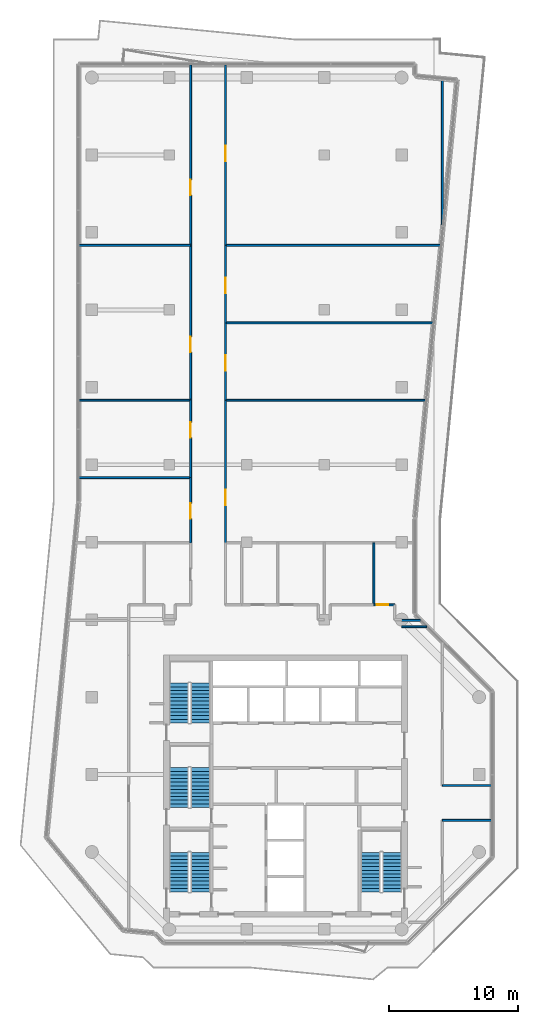
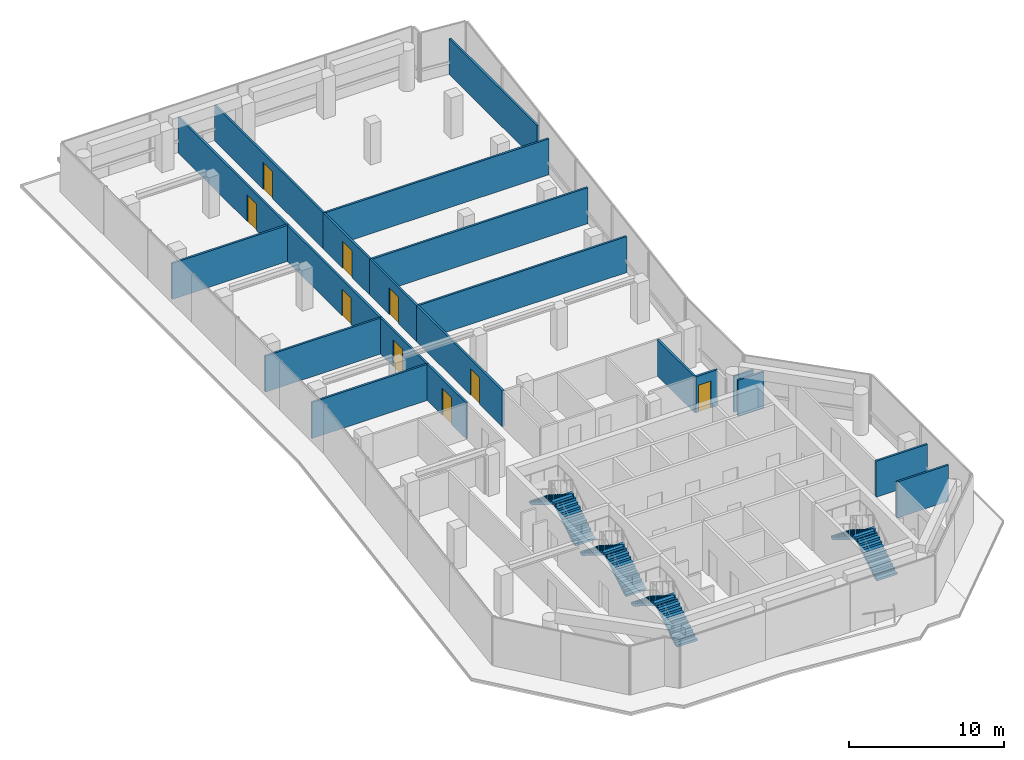
# One storey, part 11 of 13: 21 walls, 9 doors, 8 stair flights, 9 openings, 4 elements without a shape of their own.
"""IFC4 building model written with IfcOpenShell, lengths in metres."""

from ifc_helpers import new_model, si_unit, direction, frame, frame_2d, origin, place, context, subcontext, project, spatial, polyline, rectangle, outline, extrude, material, layer, layer_set, type_object, element, fill, aggregate, save


model = new_model("IFC4")

# Units and contexts
model_context = context("Model", 3, precision=1e-05, world=origin(), true_north=direction((0.0, 1.0)))
body_context = subcontext(model_context, "Body", "Model", "MODEL_VIEW")
ifc_project = project(units=[si_unit("LENGTHUNIT", "METRE"), si_unit("AREAUNIT", "SQUARE_METRE"), si_unit("VOLUMEUNIT", "CUBIC_METRE"), si_unit("PLANEANGLEUNIT", "RADIAN"), si_unit("MASSUNIT", "GRAM", prefix="KILO")], contexts=[model_context])

# Site, building, storey
site_placement = place(None, origin())
site = spatial("IfcSite", under=ifc_project, at=site_placement, CompositionType="ELEMENT")
building_placement = place(site_placement, origin())
building = spatial("IfcBuilding", under=site, at=building_placement, Name="Welwitschia Terrace Campus", CompositionType="ELEMENT")
storey_placement = place(building_placement, frame((0.0, 0.0, 251.60009765625)))
storey = spatial("IfcBuildingStorey", under=building, at=storey_placement, Name="L56", CompositionType="ELEMENT", Elevation=251.60009765625)

# Walls
ifc_material_1 = material(Name="Gypsum board on steel studs", Category="steel")
ifc_layer = layer(ifc_material_1, 0.14990234375)
ifc_layer_set = layer_set([ifc_layer], Name="Gypsum board on steel studs")
wall_type = type_object("IfcWallType", Name="Corridor partition 150 EI 30", PredefinedType="PARTITIONING", material=ifc_layer_set)
for number, where, z_axis, x_axis, name in (
    (1, (-0.97998046875, 39.0, 0.0), (0.0, 0.0, 1.0), (1.0, 0.0, 0.0), "Partition"),
    (2, (-0.97998046875, 45.0, 0.0), (0.0, 0.0, 1.0), (1.0, 0.0, 0.0), "Partition"),
    (3, (-0.97998046875, 57.0, 0.0), (0.0, 0.0, 1.0), (1.0, 0.0, 0.0), "Partition"),
):
    element("IfcWall", number, at=place(storey_placement, frame(where, z_axis=z_axis, x_axis=x_axis)), inside=storey, type_object=wall_type, Name=name, PredefinedType="PARTITIONING", context=body_context, shape_type="SweptSolid", body=[
        extrude(rectangle(XDim=8.6298828125, YDim=0.14990234375, at=frame_2d((4.31494140625, 0.0))), origin(), (0.0, 0.0, 1.0), 2.829833984375),
    ])

# Wall, opening, door
wall_1_placement = place(storey_placement, frame((7.64990234375, 33.949951171875, 0.0), z_axis=(0.0, 0.0, 1.0), x_axis=(0.0, 1.0, 0.0)))
wall_1 = element("IfcWall", 4, at=wall_1_placement, inside=storey, type_object=wall_type, Name="Partition", PredefinedType="PARTITIONING", context=body_context, shape_type="SweptSolid", body=[
    extrude(rectangle(XDim=5.050048828125, YDim=0.14990234375, at=frame_2d((2.52490234375, 0.0))), origin(), (0.0, 0.0, 1.0), 2.829833984375),
])
opening_1_placement = place(wall_1_placement, frame((1.85009765625, 0.0, 0.0)))
opening_1 = element("IfcOpeningElement", 5, at=opening_1_placement, cuts=wall_1, Name="Opening DX12", PredefinedType="OPENING", context=body_context, shape_type="SweptSolid", body=[
    extrude(rectangle(XDim=1.199951171875, YDim=2.10009765625, at=frame_2d((0.60009765625, 1.050048828125))), frame((0.0, 0.0849609375, 0.0), z_axis=(0.0, -1.0, 0.0), x_axis=(1.0, 0.0, 0.0)), (0.0, 0.0, 1.0), 0.169921875),
])
ifc_material_2 = material(Name="Timber veneered door", Category="wood")
door_type_1 = type_object("IfcDoorType", Name="Interior door DX12", OperationType="NOTDEFINED", PredefinedType="DOOR", material=ifc_material_2)
door_1_placement = place(opening_1_placement, origin())
door_1 = element("IfcDoor", 6, at=door_1_placement, inside=storey, type_object=door_type_1, Name="Door L56 1019", OperationType="SINGLE_SWING_RIGHT", OverallHeight=2.10009765625, OverallWidth=1.199951171875, PredefinedType="DOOR", context=body_context, shape_type="SweptSolid", body=[
    extrude(rectangle(XDim=1.199951171875, YDim=2.10009765625, at=frame_2d((0.60009765625, 1.050048828125))), frame((0.0, 0.02490234375, 0.0), z_axis=(0.0, -1.0, 0.0), x_axis=(1.0, 0.0, 0.0)), (0.0, 0.0, 1.0), 0.050048828125),
])
fill(opening_1, door_1)

wall_2_placement = place(storey_placement, frame((7.64990234375, 39.0, 0.0), z_axis=(0.0, 0.0, 1.0), x_axis=(0.0, 1.0, 0.0)))
wall_2 = element("IfcWall", 7, at=wall_2_placement, inside=storey, type_object=wall_type, Name="Partition", PredefinedType="PARTITIONING", context=body_context, shape_type="SweptSolid", body=[
    extrude(rectangle(XDim=6.0, YDim=0.14990234375, at=frame_2d((3.0, 0.0))), origin(), (0.0, 0.0, 1.0), 2.829833984375),
])
opening_2_placement = place(wall_2_placement, frame((3.10009765625, 0.0, 0.0)))
opening_2 = element("IfcOpeningElement", 8, at=opening_2_placement, cuts=wall_2, Name="Opening DX12", PredefinedType="OPENING", context=body_context, shape_type="SweptSolid", body=[
    extrude(rectangle(XDim=1.199951171875, YDim=2.10009765625, at=frame_2d((0.60009765625, 1.050048828125))), frame((0.0, 0.0849609375, 0.0), z_axis=(0.0, -1.0, 0.0), x_axis=(1.0, 0.0, 0.0)), (0.0, 0.0, 1.0), 0.169921875),
])
door_2_placement = place(opening_2_placement, origin())
door_2 = element("IfcDoor", 9, at=door_2_placement, inside=storey, type_object=door_type_1, Name="Door L56 1020", OperationType="SINGLE_SWING_LEFT", OverallHeight=2.10009765625, OverallWidth=1.199951171875, PredefinedType="DOOR", context=body_context, shape_type="SweptSolid", body=[
    extrude(rectangle(XDim=1.199951171875, YDim=2.10009765625, at=frame_2d((0.60009765625, 1.050048828125))), frame((0.0, 0.02490234375, 0.0), z_axis=(0.0, -1.0, 0.0), x_axis=(1.0, 0.0, 0.0)), (0.0, 0.0, 1.0), 0.050048828125),
])
fill(opening_2, door_2)

wall_3_placement = place(storey_placement, frame((7.64990234375, 45.0, 0.0), z_axis=(0.0, 0.0, 1.0), x_axis=(0.0, 1.0, 0.0)))
wall_3 = element("IfcWall", 10, at=wall_3_placement, inside=storey, type_object=wall_type, Name="Partition", PredefinedType="PARTITIONING", context=body_context, shape_type="SweptSolid", body=[
    extrude(rectangle(XDim=12.0, YDim=0.14990234375, at=frame_2d((6.0, 0.0))), origin(), (0.0, 0.0, 1.0), 2.829833984375),
])
opening_3_placement = place(wall_3_placement, frame((3.699951171875, 0.0, 0.0)))
opening_3 = element("IfcOpeningElement", 11, at=opening_3_placement, cuts=wall_3, Name="Opening DX12", PredefinedType="OPENING", context=body_context, shape_type="SweptSolid", body=[
    extrude(rectangle(XDim=1.199951171875, YDim=2.10009765625, at=frame_2d((0.60009765625, 1.050048828125))), frame((0.0, 0.0849609375, 0.0), z_axis=(0.0, -1.0, 0.0), x_axis=(1.0, 0.0, 0.0)), (0.0, 0.0, 1.0), 0.169921875),
])
door_3_placement = place(opening_3_placement, origin())
door_3 = element("IfcDoor", 12, at=door_3_placement, inside=storey, type_object=door_type_1, Name="Door L56 1021", OperationType="SINGLE_SWING_RIGHT", OverallHeight=2.10009765625, OverallWidth=1.199951171875, PredefinedType="DOOR", context=body_context, shape_type="SweptSolid", body=[
    extrude(rectangle(XDim=1.199951171875, YDim=2.10009765625, at=frame_2d((0.60009765625, 1.050048828125))), frame((0.0, 0.02490234375, 0.0), z_axis=(0.0, -1.0, 0.0), x_axis=(1.0, 0.0, 0.0)), (0.0, 0.0, 1.0), 0.050048828125),
])
fill(opening_3, door_3)

wall_4_placement = place(storey_placement, frame((7.64990234375, 57.0, 0.0), z_axis=(0.0, 0.0, 1.0), x_axis=(0.0, 1.0, 0.0)))
wall_4 = element("IfcWall", 13, at=wall_4_placement, inside=storey, type_object=wall_type, Name="Partition", PredefinedType="PARTITIONING", context=body_context, shape_type="SweptSolid", body=[
    extrude(rectangle(XDim=13.97998046875, YDim=0.14990234375, at=frame_2d((6.989990234375, 0.0))), origin(), (0.0, 0.0, 1.0), 2.829833984375),
])
opening_4_placement = place(wall_4_placement, frame((3.8798828125, 0.0, 0.0)))
opening_4 = element("IfcOpeningElement", 14, at=opening_4_placement, cuts=wall_4, Name="Opening DX12", PredefinedType="OPENING", context=body_context, shape_type="SweptSolid", body=[
    extrude(rectangle(XDim=1.199951171875, YDim=2.10009765625, at=frame_2d((0.60009765625, 1.050048828125))), frame((0.0, 0.0849609375, 0.0), z_axis=(0.0, -1.0, 0.0), x_axis=(1.0, 0.0, 0.0)), (0.0, 0.0, 1.0), 0.169921875),
])
door_4_placement = place(opening_4_placement, origin())
door_4 = element("IfcDoor", 15, at=door_4_placement, inside=storey, type_object=door_type_1, Name="Door L56 1022", OperationType="SINGLE_SWING_LEFT", OverallHeight=2.10009765625, OverallWidth=1.199951171875, PredefinedType="DOOR", context=body_context, shape_type="SweptSolid", body=[
    extrude(rectangle(XDim=1.199951171875, YDim=2.10009765625, at=frame_2d((0.60009765625, 1.050048828125))), frame((0.0, 0.02490234375, 0.0), z_axis=(0.0, -1.0, 0.0), x_axis=(1.0, 0.0, 0.0)), (0.0, 0.0, 1.0), 0.050048828125),
])
fill(opening_4, door_4)

wall_5_placement = place(storey_placement, frame((10.35009765625, 45.0, 0.0), z_axis=(0.0, 0.0, 1.0), x_axis=(0.0, -1.0, 0.0)))
wall_5 = element("IfcWall", 16, at=wall_5_placement, inside=storey, type_object=wall_type, Name="Partition", PredefinedType="PARTITIONING", context=body_context, shape_type="SweptSolid", body=[
    extrude(rectangle(XDim=11.050048828125, YDim=0.14990234375, at=frame_2d((5.52490234375, 0.0))), origin(), (0.0, 0.0, 1.0), 2.829833984375),
])
opening_5_placement = place(wall_5_placement, frame((6.949951171875, 0.0, 0.0)))
opening_5 = element("IfcOpeningElement", 17, at=opening_5_placement, cuts=wall_5, Name="Opening DX12", PredefinedType="OPENING", context=body_context, shape_type="SweptSolid", body=[
    extrude(rectangle(XDim=1.199951171875, YDim=2.10009765625, at=frame_2d((0.60009765625, 1.050048828125))), frame((0.0, 0.0849609375, 0.0), z_axis=(0.0, -1.0, 0.0), x_axis=(1.0, 0.0, 0.0)), (0.0, 0.0, 1.0), 0.169921875),
])
door_5_placement = place(opening_5_placement, origin())
door_5 = element("IfcDoor", 18, at=door_5_placement, inside=storey, type_object=door_type_1, Name="Door L56 1023", OperationType="SINGLE_SWING_RIGHT", OverallHeight=2.10009765625, OverallWidth=1.199951171875, PredefinedType="DOOR", context=body_context, shape_type="SweptSolid", body=[
    extrude(rectangle(XDim=1.199951171875, YDim=2.10009765625, at=frame_2d((0.60009765625, 1.050048828125))), frame((0.0, 0.02490234375, 0.0), z_axis=(0.0, -1.0, 0.0), x_axis=(1.0, 0.0, 0.0)), (0.0, 0.0, 1.0), 0.050048828125),
])
fill(opening_5, door_5)

# Wall
wall_6_placement = place(storey_placement, frame((10.35009765625, 45.0, 0.0), z_axis=(0.0, 0.0, 1.0), x_axis=(1.0, 0.0, 0.0)))
element("IfcWall", 19, at=wall_6_placement, inside=storey, type_object=wall_type, Name="Partition", PredefinedType="PARTITIONING", context=body_context, shape_type="SweptSolid", body=[
    extrude(rectangle(XDim=15.510009765625, YDim=0.14990234375, at=frame_2d((7.7548828125, 0.0))), origin(), (0.0, 0.0, 1.0), 2.829833984375),
])

# Wall, opening, door
wall_7_placement = place(storey_placement, frame((10.35009765625, 51.0, 0.0), z_axis=(0.0, 0.0, 1.0), x_axis=(0.0, -1.0, 0.0)))
wall_7 = element("IfcWall", 20, at=wall_7_placement, inside=storey, type_object=wall_type, Name="Partition", PredefinedType="PARTITIONING", context=body_context, shape_type="SweptSolid", body=[
    extrude(rectangle(XDim=6.0, YDim=0.14990234375, at=frame_2d((3.0, 0.0))), origin(), (0.0, 0.0, 1.0), 2.829833984375),
])
opening_6_placement = place(wall_7_placement, frame((2.5, 0.0, 0.0)))
opening_6 = element("IfcOpeningElement", 21, at=opening_6_placement, cuts=wall_7, Name="Opening DX12", PredefinedType="OPENING", context=body_context, shape_type="SweptSolid", body=[
    extrude(rectangle(XDim=1.199951171875, YDim=2.10009765625, at=frame_2d((0.60009765625, 1.050048828125))), frame((0.0, 0.0849609375, 0.0), z_axis=(0.0, -1.0, 0.0), x_axis=(1.0, 0.0, 0.0)), (0.0, 0.0, 1.0), 0.169921875),
])
door_6_placement = place(opening_6_placement, origin())
door_6 = element("IfcDoor", 22, at=door_6_placement, inside=storey, type_object=door_type_1, Name="Door L56 1024", OperationType="SINGLE_SWING_LEFT", OverallHeight=2.10009765625, OverallWidth=1.199951171875, PredefinedType="DOOR", context=body_context, shape_type="SweptSolid", body=[
    extrude(rectangle(XDim=1.199951171875, YDim=2.10009765625, at=frame_2d((0.60009765625, 1.050048828125))), frame((0.0, 0.02490234375, 0.0), z_axis=(0.0, -1.0, 0.0), x_axis=(1.0, 0.0, 0.0)), (0.0, 0.0, 1.0), 0.050048828125),
])
fill(opening_6, door_6)

# Wall
wall_8_placement = place(storey_placement, frame((10.35009765625, 51.0, 0.0), z_axis=(0.0, 0.0, 1.0), x_axis=(1.0, 0.0, 0.0)))
element("IfcWall", 23, at=wall_8_placement, inside=storey, type_object=wall_type, Name="Partition", PredefinedType="PARTITIONING", context=body_context, shape_type="SweptSolid", body=[
    extrude(rectangle(XDim=16.08984375, YDim=0.14990234375, at=frame_2d((8.044921875, 0.0))), origin(), (0.0, 0.0, 1.0), 2.829833984375),
])

# Wall, opening, door
wall_9_placement = place(storey_placement, frame((10.35009765625, 57.0, 0.0), z_axis=(0.0, 0.0, 1.0), x_axis=(0.0, -1.0, 0.0)))
wall_9 = element("IfcWall", 24, at=wall_9_placement, inside=storey, type_object=wall_type, Name="Partition", PredefinedType="PARTITIONING", context=body_context, shape_type="SweptSolid", body=[
    extrude(rectangle(XDim=6.0, YDim=0.14990234375, at=frame_2d((3.0, 0.0))), origin(), (0.0, 0.0, 1.0), 2.829833984375),
])
opening_7_placement = place(wall_9_placement, frame((2.5, 0.0, 0.0)))
opening_7 = element("IfcOpeningElement", 25, at=opening_7_placement, cuts=wall_9, Name="Opening DX12", PredefinedType="OPENING", context=body_context, shape_type="SweptSolid", body=[
    extrude(rectangle(XDim=1.199951171875, YDim=2.10009765625, at=frame_2d((0.60009765625, 1.050048828125))), frame((0.0, 0.0849609375, 0.0), z_axis=(0.0, -1.0, 0.0), x_axis=(1.0, 0.0, 0.0)), (0.0, 0.0, 1.0), 0.169921875),
])
door_7_placement = place(opening_7_placement, origin())
door_7 = element("IfcDoor", 26, at=door_7_placement, inside=storey, type_object=door_type_1, Name="Door L56 1025", OperationType="SINGLE_SWING_RIGHT", OverallHeight=2.10009765625, OverallWidth=1.199951171875, PredefinedType="DOOR", context=body_context, shape_type="SweptSolid", body=[
    extrude(rectangle(XDim=1.199951171875, YDim=2.10009765625, at=frame_2d((0.60009765625, 1.050048828125))), frame((0.0, 0.02490234375, 0.0), z_axis=(0.0, -1.0, 0.0), x_axis=(1.0, 0.0, 0.0)), (0.0, 0.0, 1.0), 0.050048828125),
])
fill(opening_7, door_7)

# Wall
wall_10_placement = place(storey_placement, frame((10.35009765625, 57.0, 0.0), z_axis=(0.0, 0.0, 1.0), x_axis=(1.0, 0.0, 0.0)))
element("IfcWall", 27, at=wall_10_placement, inside=storey, type_object=wall_type, Name="Partition", PredefinedType="PARTITIONING", context=body_context, shape_type="SweptSolid", body=[
    extrude(rectangle(XDim=16.669921875, YDim=0.14990234375, at=frame_2d((8.3349609375, 0.0))), origin(), (0.0, 0.0, 1.0), 2.829833984375),
])

# Wall, opening, door
wall_11_placement = place(storey_placement, frame((10.35009765625, 70.97998046875, 0.0), z_axis=(0.0, 0.0, 1.0), x_axis=(0.0, -1.0, 0.0)))
wall_11 = element("IfcWall", 28, at=wall_11_placement, inside=storey, type_object=wall_type, Name="Partition", PredefinedType="PARTITIONING", context=body_context, shape_type="SweptSolid", body=[
    extrude(rectangle(XDim=13.97998046875, YDim=0.14990234375, at=frame_2d((6.989990234375, 0.0))), origin(), (0.0, 0.0, 1.0), 2.829833984375),
])
opening_8_placement = place(wall_11_placement, frame((6.280029296875, 0.0, 0.0)))
opening_8 = element("IfcOpeningElement", 29, at=opening_8_placement, cuts=wall_11, Name="Opening DX12", PredefinedType="OPENING", context=body_context, shape_type="SweptSolid", body=[
    extrude(rectangle(XDim=1.199951171875, YDim=2.10009765625, at=frame_2d((0.60009765625, 1.050048828125))), frame((0.0, 0.0849609375, 0.0), z_axis=(0.0, -1.0, 0.0), x_axis=(1.0, 0.0, 0.0)), (0.0, 0.0, 1.0), 0.169921875),
])
door_8_placement = place(opening_8_placement, origin())
door_8 = element("IfcDoor", 30, at=door_8_placement, inside=storey, type_object=door_type_1, Name="Door L56 1026", OperationType="SINGLE_SWING_LEFT", OverallHeight=2.10009765625, OverallWidth=1.199951171875, PredefinedType="DOOR", context=body_context, shape_type="SweptSolid", body=[
    extrude(rectangle(XDim=1.199951171875, YDim=2.10009765625, at=frame_2d((0.60009765625, 1.050048828125))), frame((0.0, 0.02490234375, 0.0), z_axis=(0.0, -1.0, 0.0), x_axis=(1.0, 0.0, 0.0)), (0.0, 0.0, 1.0), 0.050048828125),
])
fill(opening_8, door_8)

# Wall
wall_12_placement = place(storey_placement, frame((21.840087890625, 29.14990234375, 0.0), z_axis=(0.0, 0.0, 1.0), x_axis=(0.0, 1.0, 0.0)))
element("IfcWall", 31, at=wall_12_placement, inside=storey, type_object=wall_type, Name="Partition", PredefinedType="PARTITIONING", context=body_context, shape_type="SweptSolid", body=[
    extrude(rectangle(XDim=4.800048828125, YDim=0.14990234375, at=frame_2d((2.39990234375, 0.0))), origin(), (0.0, 0.0, 1.0), 2.829833984375),
])

# Wall, opening, door
wall_13_placement = place(storey_placement, frame((21.840087890625, 29.14990234375, 0.0), z_axis=(0.0, 0.0, 1.0), x_axis=(1.0, 0.0, 0.0)))
wall_13 = element("IfcWall", 32, at=wall_13_placement, inside=storey, type_object=wall_type, Name="Partition", PredefinedType="PARTITIONING", context=body_context, shape_type="SweptSolid", body=[
    extrude(rectangle(XDim=1.60986328125, YDim=0.14990234375, at=frame_2d((0.804931640625, 0.0))), origin(), (0.0, 0.0, 1.0), 2.829833984375),
])
opening_9_placement = place(wall_13_placement, frame((0.2099609375, 0.0, 0.0)))
opening_9 = element("IfcOpeningElement", 33, at=opening_9_placement, cuts=wall_13, Name="Opening DI09", PredefinedType="OPENING", context=body_context, shape_type="SweptSolid", body=[
    extrude(rectangle(XDim=0.89990234375, YDim=2.10009765625, at=frame_2d((0.449951171875, 1.050048828125))), frame((0.0, 0.0849609375, 0.0), z_axis=(0.0, -1.0, 0.0), x_axis=(1.0, 0.0, 0.0)), (0.0, 0.0, 1.0), 0.169921875),
])
ifc_material_3 = material(Name="Timber veneered door", Category="wood")
door_type_2 = type_object("IfcDoorType", Name="Interior door DI09", OperationType="NOTDEFINED", PredefinedType="DOOR", material=ifc_material_3)
door_9_placement = place(opening_9_placement, origin())
door_9 = element("IfcDoor", 34, at=door_9_placement, inside=storey, type_object=door_type_2, Name="Door L56 1029", OperationType="SINGLE_SWING_RIGHT", OverallHeight=2.10009765625, OverallWidth=0.89990234375, PredefinedType="DOOR", context=body_context, shape_type="SweptSolid", body=[
    extrude(rectangle(XDim=0.89990234375, YDim=2.10009765625, at=frame_2d((0.449951171875, 1.050048828125))), frame((0.0, 0.02490234375, 0.0), z_axis=(0.0, -1.0, 0.0), x_axis=(1.0, 0.0, 0.0)), (0.0, 0.0, 1.0), 0.050048828125),
])
fill(opening_9, door_9)

# Walls
wall_14_placement = place(storey_placement, frame((24.0, 27.449951171875, 0.0), z_axis=(0.0, 0.0, 1.0), x_axis=(1.0, 0.0, 0.0)))
element("IfcWall", 35, at=wall_14_placement, inside=storey, type_object=wall_type, Name="Partition", PredefinedType="PARTITIONING", context=body_context, shape_type="SweptSolid", body=[
    extrude(rectangle(XDim=1.93994140625, YDim=0.14990234375, at=frame_2d((0.969970703125, 0.0))), origin(), (0.0, 0.0, 1.0), 2.829833984375),
])
wall_15_placement = place(storey_placement, frame((24.0, 27.949951171875, 0.0), z_axis=(0.0, 0.0, 1.0), x_axis=(1.0, 0.0, 0.0)))
element("IfcWall", 36, at=wall_15_placement, inside=storey, type_object=wall_type, Name="Partition", PredefinedType="PARTITIONING", context=body_context, shape_type="SweptSolid", body=[
    extrude(rectangle(XDim=1.43994140625, YDim=0.14990234375, at=frame_2d((0.719970703125, 0.0))), origin(), (0.0, 0.0, 1.0), 2.829833984375),
])
for number, where, z_axis, x_axis, name in (
    (37, (27.14990234375, 12.449951171875, 0.0), (0.0, 0.0, 1.0), (1.0, 0.0, 0.0), "Partition"),
    (38, (27.14990234375, 15.14990234375, 0.0), (0.0, 0.0, 1.0), (1.0, 0.0, 0.0), "Partition"),
):
    element("IfcWall", number, at=place(storey_placement, frame(where, z_axis=z_axis, x_axis=x_axis)), inside=storey, type_object=wall_type, Name=name, PredefinedType="PARTITIONING", context=body_context, shape_type="SweptSolid", body=[
        extrude(rectangle(XDim=3.830078125, YDim=0.14990234375, at=frame_2d((1.9150390625, 0.0))), origin(), (0.0, 0.0, 1.0), 2.829833984375),
    ])
wall_16_placement = place(storey_placement, frame((27.14990234375, 58.597900390625, 0.0), z_axis=(0.0, 0.0, 1.0), x_axis=(0.0, 1.0, 0.0)))
element("IfcWall", 39, at=wall_16_placement, inside=storey, type_object=wall_type, Name="Partition", PredefinedType="PARTITIONING", context=body_context, shape_type="SweptSolid", body=[
    extrude(rectangle(XDim=11.272216796875, YDim=0.14990234375, at=frame_2d((5.63623046875, 0.0))), origin(), (0.0, 0.0, 1.0), 2.829833984375),
])

# Stair, stair flights
ifc_material_4 = material(Name="Concrete C40/50", Category="concrete")
stair_type = type_object("IfcStairType", Name="Stair 24R 175 W1500", PredefinedType="HALF_TURN_STAIR", material=ifc_material_4)
stair_1_placement = place(storey_placement, origin())
stair_1 = element("IfcStair", 40, at=stair_1_placement, inside=storey, type_object=stair_type, Name="L56 Exit stair S1", PredefinedType="HALF_TURN_STAIR")
ifc_material_5 = material(Name="Concrete C40/50", Category="concrete")
stair_flight_type = type_object("IfcStairFlightType", Name="Stair flight 24R 175 W1500", PredefinedType="STRAIGHT", material=ifc_material_5)
stair_flight_1_placement = place(storey_placement, frame((8.39990234375, 6.89990234375, 0.0), z_axis=(0.0, 0.0, 1.0), x_axis=(0.0, 1.0, 0.0)))
stair_flight_1 = element("IfcStairFlight", 41, at=stair_flight_1_placement, type_object=stair_flight_type, Name="S1 flight 1", NumberOfRisers=12, NumberOfTreads=11, PredefinedType="STRAIGHT", RiserHeight=0.175, TreadLength=0.28, context=body_context, shape_type="SweptSolid", body=[
    extrude(outline(polyline([(0.0, 0.0), (0.0, 0.175048828125), (0.280029296875, 0.175048828125), (0.280029296875, 0.35009765625), (0.56005859375, 0.35009765625), (0.56005859375, 0.52490234375), (0.840087890625, 0.52490234375), (0.840087890625, 0.699951171875), (1.1201171875, 0.699951171875), (1.1201171875, 0.875), (1.39990234375, 0.875), (1.39990234375, 1.050048828125), (1.679931640625, 1.050048828125), (1.679931640625, 1.22509765625), (1.9599609375, 1.22509765625), (1.9599609375, 1.39990234375), (2.239990234375, 1.39990234375), (2.239990234375, 1.574951171875), (2.52001953125, 1.574951171875), (2.52001953125, 1.75), (2.800048828125, 1.75), (2.800048828125, 1.925048828125), (3.080078125, 1.925048828125), (3.080078125, 2.10009765625), (3.080078125, 1.748291015625), (0.28271484375, 0.0), (0.0, 0.0)])), frame((0.0, 0.75, 0.0), z_axis=(0.0, -1.0, 0.0), x_axis=(1.0, 0.0, 0.0)), (0.0, 0.0, 1.0), 1.5),
])
stair_flight_2_placement = place(storey_placement, frame((6.75, 9.97998046875, 2.099853515625), z_axis=(0.0, 0.0, 1.0), x_axis=(0.0, -1.0, 0.0)))
stair_flight_2 = element("IfcStairFlight", 42, at=stair_flight_2_placement, type_object=stair_flight_type, Name="S1 flight 2", NumberOfRisers=12, NumberOfTreads=11, PredefinedType="STRAIGHT", RiserHeight=0.175, TreadLength=0.28, context=body_context, shape_type="SweptSolid", body=[
    extrude(outline(polyline([(0.0, 0.0), (0.0, 0.175048828125), (0.280029296875, 0.175048828125), (0.280029296875, 0.35009765625), (0.56005859375, 0.35009765625), (0.56005859375, 0.52490234375), (0.840087890625, 0.52490234375), (0.840087890625, 0.699951171875), (1.1201171875, 0.699951171875), (1.1201171875, 0.875), (1.39990234375, 0.875), (1.39990234375, 1.050048828125), (1.679931640625, 1.050048828125), (1.679931640625, 1.22509765625), (1.9599609375, 1.22509765625), (1.9599609375, 1.39990234375), (2.239990234375, 1.39990234375), (2.239990234375, 1.574951171875), (2.52001953125, 1.574951171875), (2.52001953125, 1.75), (2.800048828125, 1.75), (2.800048828125, 1.925048828125), (3.080078125, 1.925048828125), (3.080078125, 2.10009765625), (3.080078125, 1.748291015625), (0.28271484375, 0.0), (0.0, 0.0)])), frame((0.0, 0.75, 0.0), z_axis=(0.0, -1.0, 0.0), x_axis=(1.0, 0.0, 0.0)), (0.0, 0.0, 1.0), 1.5),
])
aggregate(stair_1, [stair_flight_1, stair_flight_2])

stair_2_placement = place(storey_placement, origin())
stair_2 = element("IfcStair", 43, at=stair_2_placement, inside=storey, type_object=stair_type, Name="L56 Exit stair S3", PredefinedType="HALF_TURN_STAIR")
stair_flight_3_placement = place(storey_placement, frame((8.39990234375, 13.449951171875, 0.0), z_axis=(0.0, 0.0, 1.0), x_axis=(0.0, 1.0, 0.0)))
stair_flight_3 = element("IfcStairFlight", 44, at=stair_flight_3_placement, type_object=stair_flight_type, Name="S3 flight 1", NumberOfRisers=12, NumberOfTreads=11, PredefinedType="STRAIGHT", RiserHeight=0.175, TreadLength=0.28, context=body_context, shape_type="SweptSolid", body=[
    extrude(outline(polyline([(0.0, 0.0), (0.0, 0.175048828125), (0.280029296875, 0.175048828125), (0.280029296875, 0.35009765625), (0.56005859375, 0.35009765625), (0.56005859375, 0.52490234375), (0.840087890625, 0.52490234375), (0.840087890625, 0.699951171875), (1.1201171875, 0.699951171875), (1.1201171875, 0.875), (1.39990234375, 0.875), (1.39990234375, 1.050048828125), (1.679931640625, 1.050048828125), (1.679931640625, 1.22509765625), (1.9599609375, 1.22509765625), (1.9599609375, 1.39990234375), (2.239990234375, 1.39990234375), (2.239990234375, 1.574951171875), (2.52001953125, 1.574951171875), (2.52001953125, 1.75), (2.800048828125, 1.75), (2.800048828125, 1.925048828125), (3.080078125, 1.925048828125), (3.080078125, 2.10009765625), (3.080078125, 1.748291015625), (0.28271484375, 0.0), (0.0, 0.0)])), frame((0.0, 0.75, 0.0), z_axis=(0.0, -1.0, 0.0), x_axis=(1.0, 0.0, 0.0)), (0.0, 0.0, 1.0), 1.5),
])
stair_flight_4_placement = place(storey_placement, frame((6.75, 16.530029296875, 2.099853515625), z_axis=(0.0, 0.0, 1.0), x_axis=(0.0, -1.0, 0.0)))
stair_flight_4 = element("IfcStairFlight", 45, at=stair_flight_4_placement, type_object=stair_flight_type, Name="S3 flight 2", NumberOfRisers=12, NumberOfTreads=11, PredefinedType="STRAIGHT", RiserHeight=0.175, TreadLength=0.28, context=body_context, shape_type="SweptSolid", body=[
    extrude(outline(polyline([(0.0, 0.0), (0.0, 0.175048828125), (0.280029296875, 0.175048828125), (0.280029296875, 0.35009765625), (0.56005859375, 0.35009765625), (0.56005859375, 0.52490234375), (0.840087890625, 0.52490234375), (0.840087890625, 0.699951171875), (1.1201171875, 0.699951171875), (1.1201171875, 0.875), (1.39990234375, 0.875), (1.39990234375, 1.050048828125), (1.679931640625, 1.050048828125), (1.679931640625, 1.22509765625), (1.9599609375, 1.22509765625), (1.9599609375, 1.39990234375), (2.239990234375, 1.39990234375), (2.239990234375, 1.574951171875), (2.52001953125, 1.574951171875), (2.52001953125, 1.75), (2.800048828125, 1.75), (2.800048828125, 1.925048828125), (3.080078125, 1.925048828125), (3.080078125, 2.10009765625), (3.080078125, 1.748291015625), (0.28271484375, 0.0), (0.0, 0.0)])), frame((0.0, 0.75, 0.0), z_axis=(0.0, -1.0, 0.0), x_axis=(1.0, 0.0, 0.0)), (0.0, 0.0, 1.0), 1.5),
])
aggregate(stair_2, [stair_flight_3, stair_flight_4])

stair_3_placement = place(storey_placement, origin())
stair_3 = element("IfcStair", 46, at=stair_3_placement, inside=storey, type_object=stair_type, Name="L56 Exit stair S4", PredefinedType="HALF_TURN_STAIR")
stair_flight_5_placement = place(storey_placement, frame((8.39990234375, 20.0, 0.0), z_axis=(0.0, 0.0, 1.0), x_axis=(0.0, 1.0, 0.0)))
stair_flight_5 = element("IfcStairFlight", 47, at=stair_flight_5_placement, type_object=stair_flight_type, Name="S4 flight 1", NumberOfRisers=12, NumberOfTreads=11, PredefinedType="STRAIGHT", RiserHeight=0.175, TreadLength=0.28, context=body_context, shape_type="SweptSolid", body=[
    extrude(outline(polyline([(0.0, 0.0), (0.0, 0.175048828125), (0.280029296875, 0.175048828125), (0.280029296875, 0.35009765625), (0.56005859375, 0.35009765625), (0.56005859375, 0.52490234375), (0.840087890625, 0.52490234375), (0.840087890625, 0.699951171875), (1.1201171875, 0.699951171875), (1.1201171875, 0.875), (1.39990234375, 0.875), (1.39990234375, 1.050048828125), (1.679931640625, 1.050048828125), (1.679931640625, 1.22509765625), (1.9599609375, 1.22509765625), (1.9599609375, 1.39990234375), (2.239990234375, 1.39990234375), (2.239990234375, 1.574951171875), (2.52001953125, 1.574951171875), (2.52001953125, 1.75), (2.800048828125, 1.75), (2.800048828125, 1.925048828125), (3.080078125, 1.925048828125), (3.080078125, 2.10009765625), (3.080078125, 1.748291015625), (0.28271484375, 0.0), (0.0, 0.0)])), frame((0.0, 0.75, 0.0), z_axis=(0.0, -1.0, 0.0), x_axis=(1.0, 0.0, 0.0)), (0.0, 0.0, 1.0), 1.5),
])
stair_flight_6_placement = place(storey_placement, frame((6.75, 23.080078125, 2.099853515625), z_axis=(0.0, 0.0, 1.0), x_axis=(0.0, -1.0, 0.0)))
stair_flight_6 = element("IfcStairFlight", 48, at=stair_flight_6_placement, type_object=stair_flight_type, Name="S4 flight 2", NumberOfRisers=12, NumberOfTreads=11, PredefinedType="STRAIGHT", RiserHeight=0.175, TreadLength=0.28, context=body_context, shape_type="SweptSolid", body=[
    extrude(outline(polyline([(0.0, 0.0), (0.0, 0.175048828125), (0.280029296875, 0.175048828125), (0.280029296875, 0.35009765625), (0.56005859375, 0.35009765625), (0.56005859375, 0.52490234375), (0.840087890625, 0.52490234375), (0.840087890625, 0.699951171875), (1.1201171875, 0.699951171875), (1.1201171875, 0.875), (1.39990234375, 0.875), (1.39990234375, 1.050048828125), (1.679931640625, 1.050048828125), (1.679931640625, 1.22509765625), (1.9599609375, 1.22509765625), (1.9599609375, 1.39990234375), (2.239990234375, 1.39990234375), (2.239990234375, 1.574951171875), (2.52001953125, 1.574951171875), (2.52001953125, 1.75), (2.800048828125, 1.75), (2.800048828125, 1.925048828125), (3.080078125, 1.925048828125), (3.080078125, 2.10009765625), (3.080078125, 1.748291015625), (0.28271484375, 0.0), (0.0, 0.0)])), frame((0.0, 0.75, 0.0), z_axis=(0.0, -1.0, 0.0), x_axis=(1.0, 0.0, 0.0)), (0.0, 0.0, 1.0), 1.5),
])
aggregate(stair_3, [stair_flight_5, stair_flight_6])

stair_4_placement = place(storey_placement, origin())
stair_4 = element("IfcStair", 49, at=stair_4_placement, inside=storey, type_object=stair_type, Name="L56 Exit stair S2", PredefinedType="HALF_TURN_STAIR")
stair_flight_7_placement = place(storey_placement, frame((23.25, 6.89990234375, 0.0), z_axis=(0.0, 0.0, 1.0), x_axis=(0.0, 1.0, 0.0)))
stair_flight_7 = element("IfcStairFlight", 50, at=stair_flight_7_placement, type_object=stair_flight_type, Name="S2 flight 1", NumberOfRisers=12, NumberOfTreads=11, PredefinedType="STRAIGHT", RiserHeight=0.175, TreadLength=0.28, context=body_context, shape_type="SweptSolid", body=[
    extrude(outline(polyline([(0.0, 0.0), (0.0, 0.175048828125), (0.280029296875, 0.175048828125), (0.280029296875, 0.35009765625), (0.56005859375, 0.35009765625), (0.56005859375, 0.52490234375), (0.840087890625, 0.52490234375), (0.840087890625, 0.699951171875), (1.1201171875, 0.699951171875), (1.1201171875, 0.875), (1.39990234375, 0.875), (1.39990234375, 1.050048828125), (1.679931640625, 1.050048828125), (1.679931640625, 1.22509765625), (1.9599609375, 1.22509765625), (1.9599609375, 1.39990234375), (2.239990234375, 1.39990234375), (2.239990234375, 1.574951171875), (2.52001953125, 1.574951171875), (2.52001953125, 1.75), (2.800048828125, 1.75), (2.800048828125, 1.925048828125), (3.080078125, 1.925048828125), (3.080078125, 2.10009765625), (3.080078125, 1.748291015625), (0.28271484375, 0.0), (0.0, 0.0)])), frame((0.0, 0.75, 0.0), z_axis=(0.0, -1.0, 0.0), x_axis=(1.0, 0.0, 0.0)), (0.0, 0.0, 1.0), 1.5),
])
stair_flight_8_placement = place(storey_placement, frame((21.60009765625, 9.97998046875, 2.099853515625), z_axis=(0.0, 0.0, 1.0), x_axis=(0.0, -1.0, 0.0)))
stair_flight_8 = element("IfcStairFlight", 51, at=stair_flight_8_placement, type_object=stair_flight_type, Name="S2 flight 2", NumberOfRisers=12, NumberOfTreads=11, PredefinedType="STRAIGHT", RiserHeight=0.175, TreadLength=0.28, context=body_context, shape_type="SweptSolid", body=[
    extrude(outline(polyline([(0.0, 0.0), (0.0, 0.175048828125), (0.280029296875, 0.175048828125), (0.280029296875, 0.35009765625), (0.56005859375, 0.35009765625), (0.56005859375, 0.52490234375), (0.840087890625, 0.52490234375), (0.840087890625, 0.699951171875), (1.1201171875, 0.699951171875), (1.1201171875, 0.875), (1.39990234375, 0.875), (1.39990234375, 1.050048828125), (1.679931640625, 1.050048828125), (1.679931640625, 1.22509765625), (1.9599609375, 1.22509765625), (1.9599609375, 1.39990234375), (2.239990234375, 1.39990234375), (2.239990234375, 1.574951171875), (2.52001953125, 1.574951171875), (2.52001953125, 1.75), (2.800048828125, 1.75), (2.800048828125, 1.925048828125), (3.080078125, 1.925048828125), (3.080078125, 2.10009765625), (3.080078125, 1.748291015625), (0.28271484375, 0.0), (0.0, 0.0)])), frame((0.0, 0.75, 0.0), z_axis=(0.0, -1.0, 0.0), x_axis=(1.0, 0.0, 0.0)), (0.0, 0.0, 1.0), 1.5),
])
aggregate(stair_4, [stair_flight_7, stair_flight_8])

save(model, "model.ifc")
